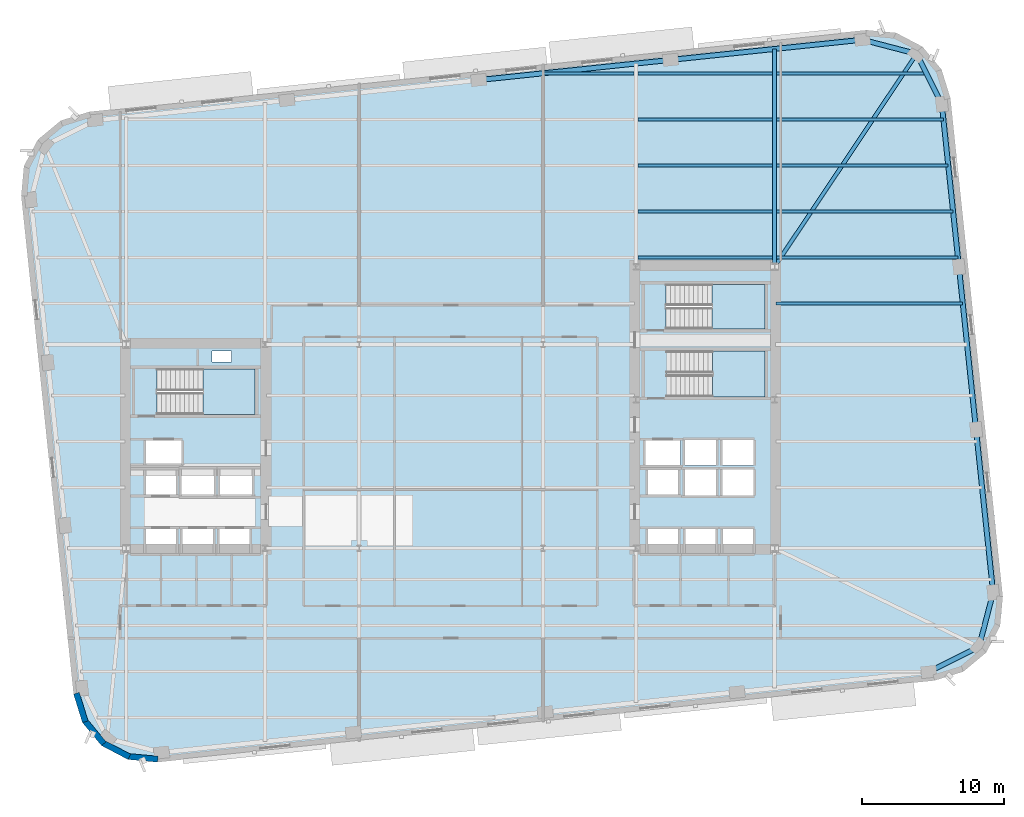
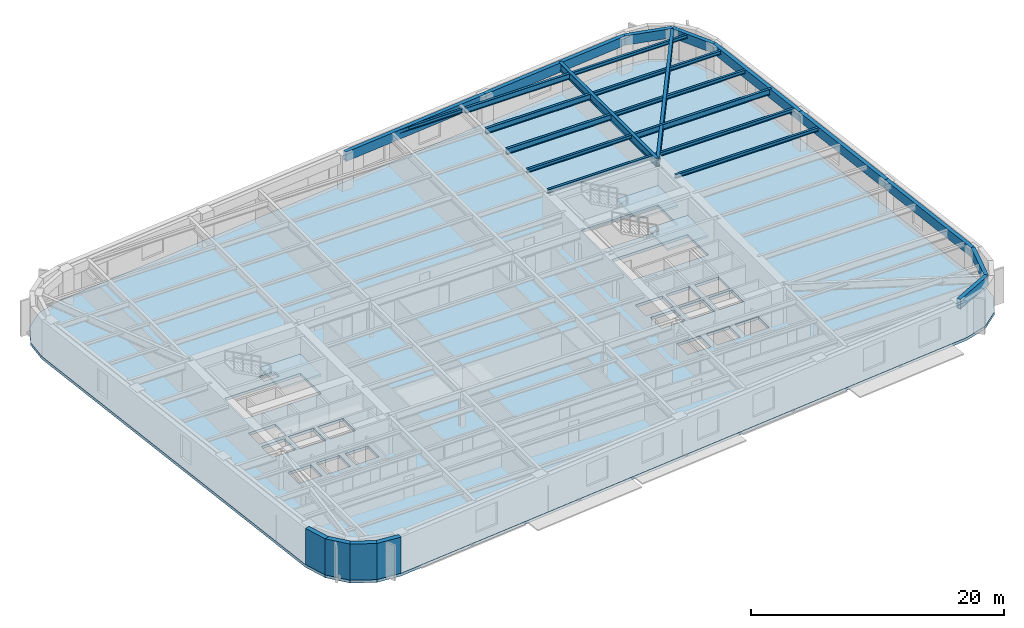
# One storey, part 3 of 14: 23 beams, 4 slabs, 4 walls, 3 elements without a shape of their own.
"""IFC4 building model written with IfcOpenShell, lengths in metres."""

from ifc_helpers import new_model, si_unit, direction, frame, frame_2d, origin, origin_2d, place, context, subcontext, project, spatial, polyline, rectangle, hollow_rectangle, i_section, outline, extrude, material, layer, layer_set, material_profile, profile_set, type_object, element, aggregate, save


model = new_model("IFC4")

# Units and contexts
model_context = context("Model", 3, precision=1e-05, world=origin(), true_north=direction((0.0, 1.0)))
body_context = subcontext(model_context, "Body", "Model", "MODEL_VIEW")
ifc_project = project(units=[si_unit("LENGTHUNIT", "METRE"), si_unit("AREAUNIT", "SQUARE_METRE"), si_unit("VOLUMEUNIT", "CUBIC_METRE"), si_unit("PLANEANGLEUNIT", "RADIAN"), si_unit("MASSUNIT", "GRAM", prefix="KILO")], contexts=[model_context])

# Site, building, storey
site_placement = place(None, origin())
site = spatial("IfcSite", under=ifc_project, at=site_placement, CompositionType="ELEMENT")
building_placement = place(site_placement, origin())
building = spatial("IfcBuilding", under=site, at=building_placement, Name="Kolvaren Arena Tower", CompositionType="ELEMENT")
storey_placement = place(building_placement, frame((0.0, 0.0, 130.75)))
storey = spatial("IfcBuildingStorey", under=building, at=storey_placement, Name="L30", CompositionType="ELEMENT", Elevation=130.75)

# Beams
ifc_material_1 = material(Name="Steel CSA G40.21 350W", Category="steel")
ifc_material_profile_1 = material_profile(ifc_material_1, i_section(OverallWidth=0.2119140625, OverallDepth=0.54296875, WebThickness=0.01318359375, FlangeThickness=0.0244140625, FilletRadius=0.013916015625, at=origin_2d()), Name="W530x150")
ifc_profile_set_1 = profile_set([ifc_material_profile_1], Name="Steel CSA G40.21 350W")
beam_type_1 = type_object("IfcBeamType", Name="BEAM-F1", PredefinedType="BEAM", material=ifc_profile_set_1)
beam_1_placement = place(storey_placement, frame((60.485107421875, 43.25, 3.20849609375), z_axis=(1.0, 0.0, 0.0), x_axis=(0.0, 1.0, 0.0)))
element("IfcBeam", 1, at=beam_1_placement, inside=storey, type_object=beam_type_1, Name="Composite Floor Beam (L30)", PredefinedType="BEAM", context=body_context, shape_type="SweptSolid", body=[
    extrude(i_section(OverallWidth=0.2119140625, OverallDepth=0.54296875, WebThickness=0.01318359375, FlangeThickness=0.0244140625, FilletRadius=0.013916015625, at=origin_2d()), origin(), (0.0, 0.0, 1.0), 12.471435546875),
])
for number, where, z_axis, x_axis, name in (
    (2, (50.68505859375, 46.5, 3.20849609375), (1.0, 0.0, 0.0), (0.0, 1.0, 0.0), "Composite Floor Beam (L30)"),
    (3, (50.68505859375, 49.75, 3.20849609375), (1.0, 0.0, 0.0), (0.0, 1.0, 0.0), "Composite Floor Beam (L30)"),
    (4, (50.68505859375, 53.0, 3.20849609375), (1.0, 0.0, 0.0), (0.0, 1.0, 0.0), "Composite Floor Beam (L30)"),
):
    element("IfcBeam", number, at=place(storey_placement, frame(where, z_axis=z_axis, x_axis=x_axis)), inside=storey, type_object=beam_type_1, Name=name, PredefinedType="BEAM", context=body_context, shape_type="SweptSolid", body=[
        extrude(i_section(OverallWidth=0.2119140625, OverallDepth=0.54296875, WebThickness=0.01318359375, FlangeThickness=0.0244140625, FilletRadius=0.013916015625, at=origin_2d()), origin(), (0.0, 0.0, 1.0), 9.530029296875),
    ])
ifc_material_profile_2 = material_profile(ifc_material_1, i_section(OverallWidth=0.27001953125, OverallDepth=0.77294921875, WebThickness=0.019287109375, FlangeThickness=0.033447265625, FilletRadius=0.01806640625, at=origin_2d()), Name="W760x257")
ifc_profile_set_2 = profile_set([ifc_material_profile_2], Name="Steel CSA G40.21 350W")
beam_type_2 = type_object("IfcBeamType", Name="GIRD-T1", PredefinedType="BEAM", material=ifc_profile_set_2)
beam_2_placement = place(storey_placement, frame((70.387939453125, 54.37939453125, 3.093505859375), z_axis=(-0.555401401293, -0.831582397266, 0.0), x_axis=(0.831582397266, -0.555401401293, 0.0)))
element("IfcBeam", 5, at=beam_2_placement, inside=storey, type_object=beam_type_2, Name="Corner Diagonal Tie Girder (L30)", PredefinedType="BEAM", context=body_context, shape_type="SweptSolid", body=[
    extrude(i_section(OverallWidth=0.27001953125, OverallDepth=0.77294921875, WebThickness=0.019287109375, FlangeThickness=0.033447265625, FilletRadius=0.01806640625, at=origin_2d()), origin(), (0.0, 0.0, 1.0), 18.0732421875),
])
beam_3_placement = place(storey_placement, frame((60.35009765625, 39.405029296875, 3.093505859375), z_axis=(0.0, 1.0, 0.0), x_axis=(-1.0, 0.0, 0.0)))
element("IfcBeam", 6, at=beam_3_placement, inside=storey, type_object=beam_type_2, Name="Primary Floor Girder (L30)", PredefinedType="BEAM", context=body_context, shape_type="SweptSolid", body=[
    extrude(i_section(OverallWidth=0.27001953125, OverallDepth=0.77294921875, WebThickness=0.019287109375, FlangeThickness=0.033447265625, FilletRadius=0.01806640625, at=origin_2d()), origin(), (0.0, 0.0, 1.0), 15.318359375),
])
ifc_material_profile_3 = material_profile(ifc_material_1, i_section(OverallWidth=0.202880859375, OverallDepth=0.346923828125, WebThickness=0.0078125, FlangeThickness=0.013427734375, FilletRadius=0.010986328125, at=origin_2d()), Name="W360x64")
ifc_profile_set_3 = profile_set([ifc_material_profile_3], Name="Steel CSA G40.21 350W")
beam_type_3 = type_object("IfcBeamType", Name="JOIST-01", PredefinedType="JOIST", material=ifc_profile_set_3)
beam_4_placement = place(storey_placement, frame((60.445068359375, 36.75, 3.306396484375), z_axis=(1.0, 0.0, 0.0), x_axis=(0.0, 1.0, 0.0)))
element("IfcBeam", 7, at=beam_4_placement, inside=storey, type_object=beam_type_3, Name="Composite Floor Joist (L30)", PredefinedType="JOIST", context=body_context, shape_type="SweptSolid", body=[
    extrude(i_section(OverallWidth=0.202880859375, OverallDepth=0.346923828125, WebThickness=0.0078125, FlangeThickness=0.013427734375, FilletRadius=0.010986328125, at=origin_2d()), origin(), (0.0, 0.0, 1.0), 13.19482421875),
])
beam_5_placement = place(storey_placement, frame((50.68505859375, 40.0, 3.306396484375), z_axis=(1.0, 0.0, 0.0), x_axis=(0.0, 1.0, 0.0)))
element("IfcBeam", 8, at=beam_5_placement, inside=storey, type_object=beam_type_3, Name="Composite Floor Joist (L30)", PredefinedType="JOIST", context=body_context, shape_type="SweptSolid", body=[
    extrude(i_section(OverallWidth=0.202880859375, OverallDepth=0.346923828125, WebThickness=0.0078125, FlangeThickness=0.013427734375, FilletRadius=0.010986328125, at=origin_2d()), origin(), (0.0, 0.0, 1.0), 9.530029296875),
])
beam_6_placement = place(storey_placement, frame((60.485107421875, 40.0, 3.306396484375), z_axis=(1.0, 0.0, 0.0), x_axis=(0.0, 1.0, 0.0)))
element("IfcBeam", 9, at=beam_6_placement, inside=storey, type_object=beam_type_3, Name="Composite Floor Joist (L30)", PredefinedType="JOIST", context=body_context, shape_type="SweptSolid", body=[
    extrude(i_section(OverallWidth=0.202880859375, OverallDepth=0.346923828125, WebThickness=0.0078125, FlangeThickness=0.013427734375, FilletRadius=0.010986328125, at=origin_2d()), origin(), (0.0, 0.0, 1.0), 12.81298828125),
])
beam_7_placement = place(storey_placement, frame((50.68505859375, 43.25, 3.306396484375), z_axis=(1.0, 0.0, 0.0), x_axis=(0.0, 1.0, 0.0)))
element("IfcBeam", 10, at=beam_7_placement, inside=storey, type_object=beam_type_3, Name="Composite Floor Joist (L30)", PredefinedType="JOIST", context=body_context, shape_type="SweptSolid", body=[
    extrude(i_section(OverallWidth=0.202880859375, OverallDepth=0.346923828125, WebThickness=0.0078125, FlangeThickness=0.013427734375, FilletRadius=0.010986328125, at=origin_2d()), origin(), (0.0, 0.0, 1.0), 9.530029296875),
])
beam_8_placement = place(storey_placement, frame((60.485107421875, 46.5, 3.306396484375), z_axis=(1.0, 0.0, 0.0), x_axis=(0.0, 1.0, 0.0)))
element("IfcBeam", 11, at=beam_8_placement, inside=storey, type_object=beam_type_3, Name="Composite Floor Joist (L30)", PredefinedType="JOIST", context=body_context, shape_type="SweptSolid", body=[
    extrude(i_section(OverallWidth=0.202880859375, OverallDepth=0.346923828125, WebThickness=0.0078125, FlangeThickness=0.013427734375, FilletRadius=0.010986328125, at=origin_2d()), origin(), (0.0, 0.0, 1.0), 12.1298828125),
])
beam_9_placement = place(storey_placement, frame((60.485107421875, 49.75, 3.306396484375), z_axis=(1.0, 0.0, 0.0), x_axis=(0.0, 1.0, 0.0)))
element("IfcBeam", 12, at=beam_9_placement, inside=storey, type_object=beam_type_3, Name="Composite Floor Joist (L30)", PredefinedType="JOIST", context=body_context, shape_type="SweptSolid", body=[
    extrude(i_section(OverallWidth=0.202880859375, OverallDepth=0.346923828125, WebThickness=0.0078125, FlangeThickness=0.013427734375, FilletRadius=0.010986328125, at=origin_2d()), origin(), (0.0, 0.0, 1.0), 11.788330078125),
])
beam_10_placement = place(storey_placement, frame((43.95361328125, 53.0, 3.306396484375), z_axis=(1.0, 0.0, 0.0), x_axis=(0.0, 1.0, 0.0)))
element("IfcBeam", 13, at=beam_10_placement, inside=storey, type_object=beam_type_3, Name="Composite Floor Joist (L30)", PredefinedType="JOIST", context=body_context, shape_type="SweptSolid", body=[
    extrude(i_section(OverallWidth=0.202880859375, OverallDepth=0.346923828125, WebThickness=0.0078125, FlangeThickness=0.013427734375, FilletRadius=0.010986328125, at=origin_2d()), origin(), (0.0, 0.0, 1.0), 6.46142578125),
])
beam_11_placement = place(storey_placement, frame((60.485107421875, 53.0, 3.306396484375), z_axis=(1.0, 0.0, 0.0), x_axis=(0.0, 1.0, 0.0)))
element("IfcBeam", 14, at=beam_11_placement, inside=storey, type_object=beam_type_3, Name="Composite Floor Joist (L30)", PredefinedType="JOIST", context=body_context, shape_type="SweptSolid", body=[
    extrude(i_section(OverallWidth=0.202880859375, OverallDepth=0.346923828125, WebThickness=0.0078125, FlangeThickness=0.013427734375, FilletRadius=0.010986328125, at=origin_2d()), origin(), (0.0, 0.0, 1.0), 10.592529296875),
])
ifc_material_2 = material(Name="Steel CSA G40.21 350WT", Category="steel")
ifc_material_profile_4 = material_profile(ifc_material_2, hollow_rectangle(XDim=0.35009765625, YDim=0.89990234375, WallThickness=0.02001953125, at=origin_2d()), Name="HSS 900x350x20")
ifc_profile_set_4 = profile_set([ifc_material_profile_4], Name="Steel CSA G40.21 350WT")
beam_type_4 = type_object("IfcBeamType", Name="SPAND-01", PredefinedType="SPANDREL", material=ifc_profile_set_4)
for number, where, z_axis, x_axis, name in (
    (15, (71.247314453125, 10.721435546875, 3.030029296875), (0.894451843771, 0.44716428656, 0.0), (-0.44716428656, 0.894451843771, 0.0), "Perimeter Spandrel Beam (L30)"),
    (16, (74.790283203125, 12.49267578125, 3.030029296875), (0.251473350892, 0.967864222808, 0.0), (-0.967864222808, 0.251473350892, 0.0), "Perimeter Spandrel Beam (L30)"),
):
    element("IfcBeam", number, at=place(storey_placement, frame(where, z_axis=z_axis, x_axis=x_axis)), inside=storey, type_object=beam_type_4, Name=name, PredefinedType="SPANDREL", context=body_context, shape_type="SweptSolid", body=[
        extrude(hollow_rectangle(XDim=0.35009765625, YDim=0.89990234375, WallThickness=0.02001953125, at=origin_2d()), origin(), (0.0, 0.0, 1.0), 3.9609375),
    ])
beam_12_placement = place(storey_placement, frame((75.786376953125, 16.326416015625, 3.030029296875), z_axis=(-0.104522171998, 0.994522556587, 0.0), x_axis=(-0.994522556587, -0.104522171998, 0.0)))
element("IfcBeam", 17, at=beam_12_placement, inside=storey, type_object=beam_type_4, Name="Perimeter Spandrel Beam (L30)", PredefinedType="SPANDREL", context=body_context, shape_type="SweptSolid", body=[
    extrude(hollow_rectangle(XDim=0.35009765625, YDim=0.89990234375, WallThickness=0.02001953125, at=origin_2d()), origin(), (0.0, 0.0, 1.0), 11.56689453125),
])
beam_13_placement = place(storey_placement, frame((74.577392578125, 27.829833984375, 3.030029296875), z_axis=(-0.104524366116, 0.994522325988, 0.0), x_axis=(-0.994522325988, -0.104524366116, 0.0)))
element("IfcBeam", 18, at=beam_13_placement, inside=storey, type_object=beam_type_4, Name="Perimeter Spandrel Beam (L30)", PredefinedType="SPANDREL", context=body_context, shape_type="SweptSolid", body=[
    extrude(hollow_rectangle(XDim=0.35009765625, YDim=0.89990234375, WallThickness=0.02001953125, at=origin_2d()), origin(), (0.0, 0.0, 1.0), 11.566650390625),
])
beam_14_placement = place(storey_placement, frame((73.368408203125, 39.3330078125, 3.030029296875), z_axis=(-0.104543048399, 0.994520362301, 0.0), x_axis=(-0.994520362301, -0.104543048399, 0.0)))
element("IfcBeam", 19, at=beam_14_placement, inside=storey, type_object=beam_type_4, Name="Perimeter Spandrel Beam (L30)", PredefinedType="SPANDREL", context=body_context, shape_type="SweptSolid", body=[
    extrude(hollow_rectangle(XDim=0.35009765625, YDim=0.89990234375, WallThickness=0.02001953125, at=origin_2d()), origin(), (0.0, 0.0, 1.0), 11.56689453125),
])
for number, where, z_axis, x_axis, name in (
    (20, (72.1591796875, 50.83642578125, 3.030029296875), (-0.44716428656, 0.894451843771, 0.0), (-0.894451843771, -0.44716428656, 0.0), "Perimeter Spandrel Beam (L30)"),
    (21, (70.387939453125, 54.37939453125, 3.030029296875), (-0.967864222808, 0.251473350892, 0.0), (-0.251473350892, -0.967864222808, 0.0), "Perimeter Spandrel Beam (L30)"),
):
    element("IfcBeam", number, at=place(storey_placement, frame(where, z_axis=z_axis, x_axis=x_axis)), inside=storey, type_object=beam_type_4, Name=name, PredefinedType="SPANDREL", context=body_context, shape_type="SweptSolid", body=[
        extrude(hollow_rectangle(XDim=0.35009765625, YDim=0.89990234375, WallThickness=0.02001953125, at=origin_2d()), origin(), (0.0, 0.0, 1.0), 3.9609375),
    ])
beam_15_placement = place(storey_placement, frame((66.55419921875, 55.37548828125, 3.030029296875), z_axis=(-0.994521150946, -0.104535545729, 0.0), x_axis=(0.104535545729, -0.994521150946, 0.0)))
element("IfcBeam", 22, at=beam_15_placement, inside=storey, type_object=beam_type_4, Name="Perimeter Spandrel Beam (L30)", PredefinedType="SPANDREL", context=body_context, shape_type="SweptSolid", body=[
    extrude(hollow_rectangle(XDim=0.35009765625, YDim=0.89990234375, WallThickness=0.02001953125, at=origin_2d()), origin(), (0.0, 0.0, 1.0), 13.625244140625),
])
beam_16_placement = place(storey_placement, frame((53.003662109375, 53.951171875, 3.030029296875), z_axis=(-0.994522817887, -0.104519685718, 0.0), x_axis=(0.104519685718, -0.994522817887, 0.0)))
element("IfcBeam", 23, at=beam_16_placement, inside=storey, type_object=beam_type_4, Name="Perimeter Spandrel Beam (L30)", PredefinedType="SPANDREL", context=body_context, shape_type="SweptSolid", body=[
    extrude(hollow_rectangle(XDim=0.35009765625, YDim=0.89990234375, WallThickness=0.02001953125, at=origin_2d()), origin(), (0.0, 0.0, 1.0), 13.625),
])

# Stair, slab
ifc_material_3 = material(Name="Concrete 45 MPa", Category="concrete")
stair_type_1 = type_object("IfcStairType", Name="STAIR-CORE-165", PredefinedType="HALF_TURN_STAIR", material=ifc_material_3)
stair_1_placement = place(storey_placement, origin())
stair_1 = element("IfcStair", 24, at=stair_1_placement, inside=storey, type_object=stair_type_1, Name="L30 ST-W1", PredefinedType="HALF_TURN_STAIR")
ifc_layer_1 = layer(ifc_material_3, 0.199951171875)
ifc_layer_set_1 = layer_set([ifc_layer_1], Name="Concrete 45 MPa")
slab_type_1 = type_object("IfcSlabType", Name="SLAB-LAND", PredefinedType="LANDING", material=ifc_layer_set_1)
slab_1_placement = place(storey_placement, frame((0.0, 0.0, 1.675048828125)))
slab_1 = element("IfcSlab", 25, at=slab_1_placement, type_object=slab_type_1, Name="ST-W1 landing 1", PredefinedType="LANDING", context=body_context, shape_type="SweptSolid", body=[
    extrude(outline(polyline([(19.9599609375, 28.89990234375), (23.659912109375, 28.89990234375), (23.659912109375, 32.1298828125), (19.9599609375, 32.1298828125), (19.9599609375, 28.89990234375)])), origin(), (0.0, 0.0, 1.0), 0.199951171875),
])
aggregate(stair_1, [slab_1])

stair_2_placement = place(storey_placement, origin())
stair_2 = element("IfcStair", 26, at=stair_2_placement, inside=storey, type_object=stair_type_1, Name="L30 ST-E1", PredefinedType="HALF_TURN_STAIR")
slab_2_placement = place(storey_placement, frame((0.0, 0.0, 1.675048828125)))
slab_2 = element("IfcSlab", 27, at=slab_2_placement, type_object=slab_type_1, Name="ST-E1 landing 1", PredefinedType="LANDING", context=body_context, shape_type="SweptSolid", body=[
    extrude(outline(polyline([(55.9599609375, 30.14990234375), (59.659912109375, 30.14990234375), (59.659912109375, 33.3798828125), (55.9599609375, 33.3798828125), (55.9599609375, 30.14990234375)])), origin(), (0.0, 0.0, 1.0), 0.199951171875),
])
aggregate(stair_2, [slab_2])

stair_type_2 = type_object("IfcStairType", Name="STAIR-CORE-150", PredefinedType="HALF_TURN_STAIR", material=ifc_material_3)
stair_3_placement = place(storey_placement, origin())
stair_3 = element("IfcStair", 28, at=stair_3_placement, inside=storey, type_object=stair_type_2, Name="L30 ST-E2", PredefinedType="HALF_TURN_STAIR")
slab_3_placement = place(storey_placement, frame((0.0, 0.0, 1.675048828125)))
slab_3 = element("IfcSlab", 29, at=slab_3_placement, type_object=slab_type_1, Name="ST-E2 landing 1", PredefinedType="LANDING", context=body_context, shape_type="SweptSolid", body=[
    extrude(outline(polyline([(55.919921875, 34.949951171875), (59.659912109375, 34.949951171875), (59.659912109375, 38.10009765625), (55.919921875, 38.10009765625), (55.919921875, 34.949951171875)])), origin(), (0.0, 0.0, 1.0), 0.199951171875),
])
aggregate(stair_3, [slab_3])

# Slab
ifc_layer_2 = layer(ifc_material_3, 0.27001953125)
ifc_layer_set_2 = layer_set([ifc_layer_2], Name="Concrete 45 MPa")
slab_type_2 = type_object("IfcSlabType", Name="SLAB-OFF2", PredefinedType="FLOOR", material=ifc_layer_set_2)
slab_4_placement = place(storey_placement, frame((0.0, 0.0, -0.27001953125)))
element("IfcSlab", 30, at=slab_4_placement, inside=storey, type_object=slab_type_2, Name="L30 Primary Structural Slab", PredefinedType="FLOOR", context=body_context, shape_type="SweptSolid", body=[
    extrude(outline(polyline([(71.663330078125, 10.111572265625), (73.675537109375, 10.736328125), (75.29541015625, 12.08349609375), (76.276611328125, 13.9482421875), (76.469482421875, 16.04638671875), (72.76904296875, 51.25244140625), (72.144287109375, 53.2646484375), (70.797119140625, 54.884521484375), (68.932373046875, 55.865478515625), (66.834228515625, 56.058349609375), (11.9365234375, 50.28857421875), (9.92431640625, 49.663818359375), (8.304443359375, 48.31640625), (7.323486328125, 46.45166015625), (7.130615234375, 44.353515625), (10.830810546875, 9.1474609375), (11.455810546875, 7.13525390625), (12.802978515625, 5.515380859375), (14.667724609375, 4.534423828125), (16.765869140625, 4.341552734375), (71.663330078125, 10.111572265625)]), holes=[polyline([(15.93505859375, 19.0849609375), (15.93505859375, 20.81494140625), (18.06494140625, 20.81494140625), (18.06494140625, 19.0849609375), (15.93505859375, 19.0849609375)]), polyline([(18.534912109375, 19.0849609375), (18.534912109375, 20.81494140625), (20.6650390625, 20.81494140625), (20.6650390625, 19.0849609375), (18.534912109375, 19.0849609375)]), polyline([(21.135009765625, 19.0849609375), (21.135009765625, 20.81494140625), (23.264892578125, 20.81494140625), (23.264892578125, 19.0849609375), (21.135009765625, 19.0849609375)]), polyline([(51.39501953125, 19.0849609375), (51.39501953125, 20.81494140625), (53.52490234375, 20.81494140625), (53.52490234375, 19.0849609375), (51.39501953125, 19.0849609375)]), polyline([(54.054931640625, 19.0849609375), (54.054931640625, 20.81494140625), (56.18505859375, 20.81494140625), (56.18505859375, 19.0849609375), (54.054931640625, 19.0849609375)]), polyline([(56.695068359375, 19.0849609375), (56.695068359375, 20.81494140625), (58.824951171875, 20.81494140625), (58.824951171875, 19.0849609375), (56.695068359375, 19.0849609375)]), polyline([(18.4599609375, 25.06494140625), (20.739990234375, 25.06494140625), (20.739990234375, 23.135009765625), (18.4599609375, 23.135009765625), (18.4599609375, 25.06494140625)]), polyline([(21.159912109375, 23.135009765625), (21.159912109375, 25.06494140625), (23.43994140625, 25.06494140625), (23.43994140625, 23.135009765625), (21.159912109375, 23.135009765625)]), polyline([(54.030029296875, 25.014892578125), (56.2099609375, 25.014892578125), (56.2099609375, 23.18505859375), (54.030029296875, 23.18505859375), (54.030029296875, 25.014892578125)]), polyline([(56.669921875, 25.014892578125), (58.85009765625, 25.014892578125), (58.85009765625, 23.18505859375), (56.669921875, 23.18505859375), (56.669921875, 25.014892578125)]), polyline([(15.93505859375, 24.965087890625), (18.06494140625, 24.965087890625), (18.06494140625, 23.235107421875), (15.93505859375, 23.235107421875), (15.93505859375, 24.965087890625)]), polyline([(51.39501953125, 23.235107421875), (51.39501953125, 24.965087890625), (53.52490234375, 24.965087890625), (53.52490234375, 23.235107421875), (51.39501953125, 23.235107421875)]), polyline([(54.030029296875, 25.284912109375), (54.030029296875, 27.114990234375), (56.2099609375, 27.114990234375), (56.2099609375, 25.284912109375), (54.030029296875, 25.284912109375)]), polyline([(56.669921875, 25.284912109375), (56.669921875, 27.114990234375), (58.85009765625, 27.114990234375), (58.85009765625, 25.284912109375), (56.669921875, 25.284912109375)]), polyline([(15.9599609375, 25.3349609375), (15.9599609375, 27.06494140625), (18.43994140625, 27.06494140625), (18.43994140625, 25.3349609375), (15.9599609375, 25.3349609375)]), polyline([(51.219970703125, 25.3349609375), (51.219970703125, 27.06494140625), (53.699951171875, 27.06494140625), (53.699951171875, 25.3349609375), (51.219970703125, 25.3349609375)]), polyline([(16.735107421875, 32.1298828125), (23.659912109375, 32.1298828125), (23.659912109375, 28.89990234375), (16.735107421875, 28.89990234375), (16.735107421875, 32.1298828125)]), polyline([(52.735107421875, 33.3798828125), (59.659912109375, 33.3798828125), (59.659912109375, 30.14990234375), (52.735107421875, 30.14990234375), (52.735107421875, 33.3798828125)]), polyline([(20.60009765625, 33.39990234375), (22.0, 33.39990234375), (22.0, 32.6201171875), (20.60009765625, 32.6201171875), (20.60009765625, 33.39990234375)]), polyline([(52.695068359375, 38.10009765625), (59.659912109375, 38.10009765625), (59.659912109375, 34.949951171875), (52.695068359375, 34.949951171875), (52.695068359375, 38.10009765625)])]), origin(), (0.0, 0.0, 1.0), 0.27001953125),
])

# Walls
ifc_material_4 = material(Name="Precast concrete C50/60", Category="concrete")
ifc_layer_3 = layer(ifc_material_4, 0.419921875)
ifc_layer_set_3 = layer_set([ifc_layer_3], Name="Precast concrete C50/60")
wall_type = type_object("IfcWallType", Name="EXT-PIER1", PredefinedType="SOLIDWALL", material=ifc_layer_set_3)
for number, where, z_axis, x_axis, name in (
    (31, (11.65625, 7.197509765625, 0.0), (0.0, 0.0, 1.0), (-0.296519484366, 0.955026803494, 0.0), "Exterior Precast Masonry-Frame Wall (L30)"),
    (32, (12.964599609375, 5.649658203125, 0.0), (0.0, 0.0, 1.0), (-0.639488914921, 0.768800317178, 0.0), "Exterior Precast Masonry-Frame Wall (L30)"),
    (33, (14.765380859375, 4.72021484375, 0.0), (0.0, 0.0, 1.0), (-0.884940843444, 0.465703450282, 0.0), "Exterior Precast Masonry-Frame Wall (L30)"),
):
    element("IfcWall", number, at=place(storey_placement, frame(where, z_axis=z_axis, x_axis=x_axis)), inside=storey, type_object=wall_type, Name=name, PredefinedType="SOLIDWALL", context=body_context, shape_type="SweptSolid", body=[
        extrude(rectangle(XDim=2.10693359375, YDim=0.419921875, at=frame_2d((1.053466796875, 0.0))), origin(), (0.0, 0.0, 1.0), 3.47998046875),
    ])
wall_placement = place(storey_placement, frame((16.784912109375, 4.55078125, 0.0), z_axis=(0.0, 0.0, 1.0), x_axis=(-0.995811110714, 0.091434303078, 0.0)))
element("IfcWall", 34, at=wall_placement, inside=storey, type_object=wall_type, Name="Exterior Precast Masonry-Frame Wall (L30)", PredefinedType="SOLIDWALL", context=body_context, shape_type="SweptSolid", body=[
    extrude(rectangle(XDim=2.106689453125, YDim=0.419921875, at=frame_2d((1.05322265625, 0.0))), origin(), (0.0, 0.0, 1.0), 3.47998046875),
])

save(model, "model.ifc")
